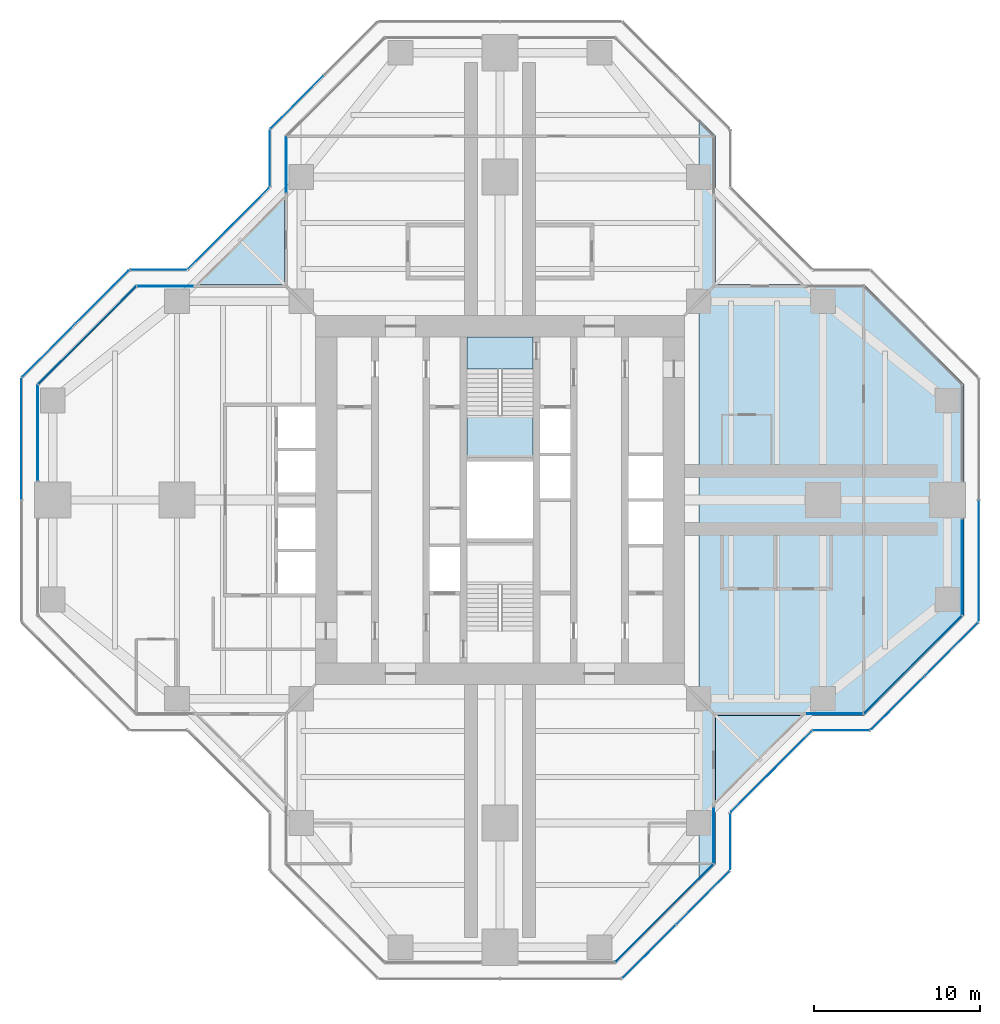
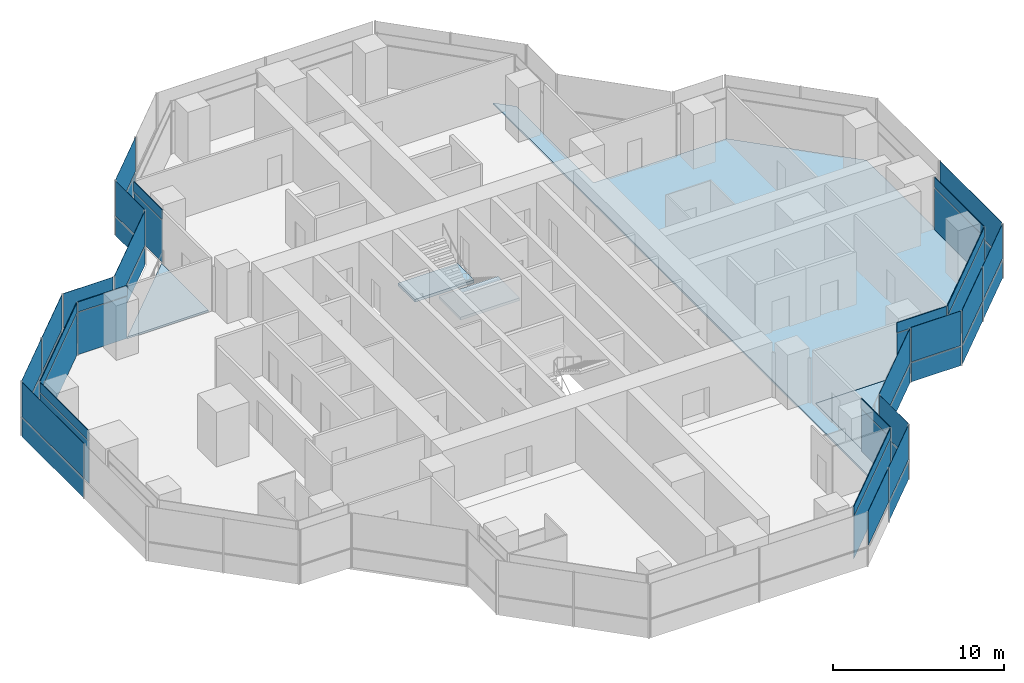
# One storey, part 11 of 17: 47 plates, 5 slabs, 22 elements without a shape of their own.
"""IFC4 building model written with IfcOpenShell, lengths in metres."""

from ifc_helpers import new_model, si_unit, direction, frame, origin, origin_2d, place, context, subcontext, project, spatial, polyline, rectangle, outline, extrude, material, layer, layer_set, type_object, element, aggregate, save


model = new_model("IFC4")

# Units and contexts
model_context = context("Model", 3, precision=1e-05, world=origin(), true_north=direction((0.0, 1.0)))
body_context = subcontext(model_context, "Body", "Model", "MODEL_VIEW")
ifc_project = project(units=[si_unit("LENGTHUNIT", "METRE"), si_unit("AREAUNIT", "SQUARE_METRE"), si_unit("VOLUMEUNIT", "CUBIC_METRE"), si_unit("PLANEANGLEUNIT", "RADIAN"), si_unit("MASSUNIT", "GRAM", prefix="KILO")], contexts=[model_context])

# Site, building, storey
site_placement = place(None, origin())
site = spatial("IfcSite", under=ifc_project, at=site_placement, CompositionType="ELEMENT")
building_placement = place(site_placement, origin())
building = spatial("IfcBuilding", under=site, at=building_placement, Name="Mizan Broadcast Tower", CompositionType="ELEMENT")
storey_placement = place(building_placement, frame((0.0, 0.0, 236.10009765625)))
storey = spatial("IfcBuildingStorey", under=building, at=storey_placement, Name="L55", CompositionType="ELEMENT", Elevation=236.10009765625)

# Slab
ifc_material_1 = material(Name="Concrete C32/40", Category="concrete")
ifc_layer_1 = layer(ifc_material_1, 0.1298828125)
ifc_layer_set_1 = layer_set([ifc_layer_1], Name="Concrete C32/40")
slab_type_1 = type_object("IfcSlabType", Name="COMPOSITE DECK SLAB 130", PredefinedType="FLOOR", material=ifc_layer_set_1)
slab_1_placement = place(storey_placement, frame((0.0, 0.0, -0.130126953125)))
element("IfcSlab", 1, at=slab_1_placement, inside=storey, type_object=slab_type_1, Name="Floor slab L55 east arm", PredefinedType="FLOOR", context=body_context, shape_type="SweptSolid", body=[
    extrude(outline(polyline([(13.0, 22.0), (12.0, 23.0), (12.0, -23.0), (13.0, -22.0), (13.0, -13.0), (22.0, -13.0), (28.0, -7.0), (28.0, 7.0), (22.0, 13.0), (13.0, 13.0), (13.0, 22.0)])), origin(), (0.0, 0.0, 1.0), 0.130126953125),
])

# Curtain wall, plate
ifc_material_2 = material(Name="Aluminium framed glazing", Category="aluminium")
curtain_wall_type_1 = type_object("IfcCurtainWallType", Name="INNER SKIN HIGH ZONE", PredefinedType="USERDEFINED", material=ifc_material_2)
curtain_wall_1_placement = place(storey_placement, origin())
curtain_wall_1 = element("IfcCurtainWall", 2, at=curtain_wall_1_placement, inside=storey, type_object=curtain_wall_type_1, Name="Inner skin high zone L55 E side", ObjectType="INNER SKIN HIGH ZONE", PredefinedType="USERDEFINED")
ifc_material_3 = material(Name="Double glazing, clear low-e", Category="glass")
ifc_layer_2 = layer(ifc_material_3, 0.028076171875)
ifc_layer_set_2 = layer_set([ifc_layer_2], Name="Double glazing, clear low-e")
plate_type_1 = type_object("IfcPlateType", Name="INNER SKIN GLAZING UNIT", PredefinedType="CURTAIN_PANEL", material=ifc_layer_set_2)
plate_1_placement = place(storey_placement, frame((20.229248046875, -12.89990234375, 0.0), z_axis=(0.0, 0.0, 1.0), x_axis=(1.0, 0.0, 0.0)))
plate_1 = element("IfcPlate", 3, at=plate_1_placement, type_object=plate_type_1, Name="Inner skin high zone L55 E side panel 1.1", PredefinedType="CURTAIN_PANEL", context=body_context, shape_type="SweptSolid", body=[
    extrude(rectangle(XDim=3.338623046875, YDim=0.028076171875, at=origin_2d()), origin(), (0.0, 0.0, 1.0), 3.0),
])

curtain_wall_2_placement = place(storey_placement, origin())
curtain_wall_2 = element("IfcCurtainWall", 4, at=curtain_wall_2_placement, inside=storey, type_object=curtain_wall_type_1, Name="Inner skin high zone L55 E chamfer", ObjectType="INNER SKIN HIGH ZONE", PredefinedType="USERDEFINED")
plate_2_placement = place(storey_placement, frame((24.92919921875, -9.92919921875, 0.0), z_axis=(0.0, 0.0, 1.0), x_axis=(0.707106781187, 0.707106781187, 0.0)))
plate_2 = element("IfcPlate", 5, at=plate_2_placement, type_object=plate_type_1, Name="Inner skin high zone L55 E chamfer panel 1.1", PredefinedType="CURTAIN_PANEL", context=body_context, shape_type="SweptSolid", body=[
    extrude(rectangle(XDim=8.282470703125, YDim=0.028076171875, at=origin_2d()), origin(), (0.0, 0.0, 1.0), 3.0),
])

curtain_wall_3_placement = place(storey_placement, origin())
curtain_wall_3 = element("IfcCurtainWall", 6, at=curtain_wall_3_placement, inside=storey, type_object=curtain_wall_type_1, Name="Inner skin high zone L55 E end", ObjectType="INNER SKIN HIGH ZONE", PredefinedType="USERDEFINED")
plate_3_placement = place(storey_placement, frame((27.89990234375, -4.029296875, 0.0), z_axis=(0.0, 0.0, 1.0), x_axis=(0.0, 1.0, 0.0)))
plate_3 = element("IfcPlate", 7, at=plate_3_placement, type_object=plate_type_1, Name="Inner skin high zone L55 E end panel 1.1", PredefinedType="CURTAIN_PANEL", context=body_context, shape_type="SweptSolid", body=[
    extrude(rectangle(XDim=5.738525390625, YDim=0.028076171875, at=origin_2d()), origin(), (0.0, 0.0, 1.0), 3.0),
])

curtain_wall_4_placement = place(storey_placement, origin())
curtain_wall_4 = element("IfcCurtainWall", 8, at=curtain_wall_4_placement, inside=storey, type_object=curtain_wall_type_1, Name="Inner skin high zone L55 N side", ObjectType="INNER SKIN HIGH ZONE", PredefinedType="USERDEFINED")
plate_4_placement = place(storey_placement, frame((-12.89990234375, 20.229248046875, 0.0), z_axis=(0.0, 0.0, 1.0), x_axis=(0.0, -1.0, 0.0)))
plate_4 = element("IfcPlate", 9, at=plate_4_placement, type_object=plate_type_1, Name="Inner skin high zone L55 N side panel 1.1", PredefinedType="CURTAIN_PANEL", context=body_context, shape_type="SweptSolid", body=[
    extrude(rectangle(XDim=3.338623046875, YDim=0.028076171875, at=origin_2d()), origin(), (0.0, 0.0, 1.0), 3.0),
])

curtain_wall_5_placement = place(storey_placement, origin())
curtain_wall_5 = element("IfcCurtainWall", 10, at=curtain_wall_5_placement, inside=storey, type_object=curtain_wall_type_1, Name="Inner skin high zone L55 W side", ObjectType="INNER SKIN HIGH ZONE", PredefinedType="USERDEFINED")
plate_5_placement = place(storey_placement, frame((-20.229248046875, 12.89990234375, 0.0), z_axis=(0.0, 0.0, 1.0), x_axis=(-1.0, 0.0, 0.0)))
plate_5 = element("IfcPlate", 11, at=plate_5_placement, type_object=plate_type_1, Name="Inner skin high zone L55 W side panel 1.1", PredefinedType="CURTAIN_PANEL", context=body_context, shape_type="SweptSolid", body=[
    extrude(rectangle(XDim=3.338623046875, YDim=0.028076171875, at=origin_2d()), origin(), (0.0, 0.0, 1.0), 3.0),
])

curtain_wall_6_placement = place(storey_placement, origin())
curtain_wall_6 = element("IfcCurtainWall", 12, at=curtain_wall_6_placement, inside=storey, type_object=curtain_wall_type_1, Name="Inner skin high zone L55 W chamfer", ObjectType="INNER SKIN HIGH ZONE", PredefinedType="USERDEFINED")
plate_6_placement = place(storey_placement, frame((-24.92919921875, 9.92919921875, 0.0), z_axis=(0.0, 0.0, 1.0), x_axis=(-0.707106781187, -0.707106781187, 0.0)))
plate_6 = element("IfcPlate", 13, at=plate_6_placement, type_object=plate_type_1, Name="Inner skin high zone L55 W chamfer panel 1.1", PredefinedType="CURTAIN_PANEL", context=body_context, shape_type="SweptSolid", body=[
    extrude(rectangle(XDim=8.282470703125, YDim=0.028076171875, at=origin_2d()), origin(), (0.0, 0.0, 1.0), 3.0),
])

curtain_wall_7_placement = place(storey_placement, origin())
curtain_wall_7 = element("IfcCurtainWall", 14, at=curtain_wall_7_placement, inside=storey, type_object=curtain_wall_type_1, Name="Inner skin high zone L55 W end", ObjectType="INNER SKIN HIGH ZONE", PredefinedType="USERDEFINED")
plate_7_placement = place(storey_placement, frame((-27.89990234375, 4.029296875, 0.0), z_axis=(0.0, 0.0, 1.0), x_axis=(0.0, -1.0, 0.0)))
plate_7 = element("IfcPlate", 15, at=plate_7_placement, type_object=plate_type_1, Name="Inner skin high zone L55 W end panel 1.1", PredefinedType="CURTAIN_PANEL", context=body_context, shape_type="SweptSolid", body=[
    extrude(rectangle(XDim=5.738525390625, YDim=0.028076171875, at=origin_2d()), origin(), (0.0, 0.0, 1.0), 3.0),
])

curtain_wall_8_placement = place(storey_placement, origin())
curtain_wall_8 = element("IfcCurtainWall", 16, at=curtain_wall_8_placement, inside=storey, type_object=curtain_wall_type_1, Name="Inner skin high zone L55 S chamfer", ObjectType="INNER SKIN HIGH ZONE", PredefinedType="USERDEFINED")
plate_8_placement = place(storey_placement, frame((9.92919921875, -24.92919921875, 0.0), z_axis=(0.0, 0.0, 1.0), x_axis=(0.707106781187, 0.707106781187, 0.0)))
plate_8 = element("IfcPlate", 17, at=plate_8_placement, type_object=plate_type_1, Name="Inner skin high zone L55 S chamfer panel 1.1", PredefinedType="CURTAIN_PANEL", context=body_context, shape_type="SweptSolid", body=[
    extrude(rectangle(XDim=8.282470703125, YDim=0.028076171875, at=origin_2d()), origin(), (0.0, 0.0, 1.0), 3.0),
])

curtain_wall_9_placement = place(storey_placement, origin())
curtain_wall_9 = element("IfcCurtainWall", 18, at=curtain_wall_9_placement, inside=storey, type_object=curtain_wall_type_1, Name="Inner skin high zone L55 S side", ObjectType="INNER SKIN HIGH ZONE", PredefinedType="USERDEFINED")
plate_9_placement = place(storey_placement, frame((12.89990234375, -20.229248046875, 0.0), z_axis=(0.0, 0.0, 1.0), x_axis=(0.0, 1.0, 0.0)))
plate_9 = element("IfcPlate", 19, at=plate_9_placement, type_object=plate_type_1, Name="Inner skin high zone L55 S side panel 1.1", PredefinedType="CURTAIN_PANEL", context=body_context, shape_type="SweptSolid", body=[
    extrude(rectangle(XDim=3.338623046875, YDim=0.028076171875, at=origin_2d()), origin(), (0.0, 0.0, 1.0), 3.0),
])

# Plate
ifc_material_4 = material(Name="Insulated aluminium spandrel panel, pale anodised", Category="aluminium")
ifc_layer_3 = layer(ifc_material_4, 0.050048828125)
ifc_layer_set_3 = layer_set([ifc_layer_3], Name="Insulated aluminium spandrel panel, pale anodised")
plate_type_2 = type_object("IfcPlateType", Name="INNER SKIN SPANDREL PANEL", PredefinedType="CURTAIN_PANEL", material=ifc_layer_set_3)
plate_10_placement = place(storey_placement, frame((20.229248046875, -12.89990234375, 3.059814453125), z_axis=(0.0, 0.0, 1.0), x_axis=(1.0, 0.0, 0.0)))
plate_10 = element("IfcPlate", 20, at=plate_10_placement, type_object=plate_type_2, Name="Inner skin high zone L55 E side panel 1.2", PredefinedType="CURTAIN_PANEL", context=body_context, shape_type="SweptSolid", body=[
    extrude(rectangle(XDim=3.338623046875, YDim=0.050048828125, at=origin_2d()), origin(), (0.0, 0.0, 1.0), 0.7099609375),
])

aggregate(curtain_wall_1, [plate_1, plate_10])

plate_11_placement = place(storey_placement, frame((24.92919921875, -9.92919921875, 3.059814453125), z_axis=(0.0, 0.0, 1.0), x_axis=(0.707106781187, 0.707106781187, 0.0)))
plate_11 = element("IfcPlate", 21, at=plate_11_placement, type_object=plate_type_2, Name="Inner skin high zone L55 E chamfer panel 1.2", PredefinedType="CURTAIN_PANEL", context=body_context, shape_type="SweptSolid", body=[
    extrude(rectangle(XDim=8.282470703125, YDim=0.050048828125, at=origin_2d()), origin(), (0.0, 0.0, 1.0), 0.7099609375),
])

aggregate(curtain_wall_2, [plate_2, plate_11])

plate_12_placement = place(storey_placement, frame((27.89990234375, -4.029296875, 3.059814453125), z_axis=(0.0, 0.0, 1.0), x_axis=(0.0, 1.0, 0.0)))
plate_12 = element("IfcPlate", 22, at=plate_12_placement, type_object=plate_type_2, Name="Inner skin high zone L55 E end panel 1.2", PredefinedType="CURTAIN_PANEL", context=body_context, shape_type="SweptSolid", body=[
    extrude(rectangle(XDim=5.738525390625, YDim=0.050048828125, at=origin_2d()), origin(), (0.0, 0.0, 1.0), 0.7099609375),
])

aggregate(curtain_wall_3, [plate_3, plate_12])

plate_13_placement = place(storey_placement, frame((-12.89990234375, 20.229248046875, 3.059814453125), z_axis=(0.0, 0.0, 1.0), x_axis=(0.0, -1.0, 0.0)))
plate_13 = element("IfcPlate", 23, at=plate_13_placement, type_object=plate_type_2, Name="Inner skin high zone L55 N side panel 1.2", PredefinedType="CURTAIN_PANEL", context=body_context, shape_type="SweptSolid", body=[
    extrude(rectangle(XDim=3.338623046875, YDim=0.050048828125, at=origin_2d()), origin(), (0.0, 0.0, 1.0), 0.7099609375),
])

aggregate(curtain_wall_4, [plate_4, plate_13])

plate_14_placement = place(storey_placement, frame((-20.229248046875, 12.89990234375, 3.059814453125), z_axis=(0.0, 0.0, 1.0), x_axis=(-1.0, 0.0, 0.0)))
plate_14 = element("IfcPlate", 24, at=plate_14_placement, type_object=plate_type_2, Name="Inner skin high zone L55 W side panel 1.2", PredefinedType="CURTAIN_PANEL", context=body_context, shape_type="SweptSolid", body=[
    extrude(rectangle(XDim=3.338623046875, YDim=0.050048828125, at=origin_2d()), origin(), (0.0, 0.0, 1.0), 0.7099609375),
])

aggregate(curtain_wall_5, [plate_5, plate_14])

plate_15_placement = place(storey_placement, frame((-24.92919921875, 9.92919921875, 3.059814453125), z_axis=(0.0, 0.0, 1.0), x_axis=(-0.707106781187, -0.707106781187, 0.0)))
plate_15 = element("IfcPlate", 25, at=plate_15_placement, type_object=plate_type_2, Name="Inner skin high zone L55 W chamfer panel 1.2", PredefinedType="CURTAIN_PANEL", context=body_context, shape_type="SweptSolid", body=[
    extrude(rectangle(XDim=8.282470703125, YDim=0.050048828125, at=origin_2d()), origin(), (0.0, 0.0, 1.0), 0.7099609375),
])

aggregate(curtain_wall_6, [plate_6, plate_15])

plate_16_placement = place(storey_placement, frame((-27.89990234375, 4.029296875, 3.059814453125), z_axis=(0.0, 0.0, 1.0), x_axis=(0.0, -1.0, 0.0)))
plate_16 = element("IfcPlate", 26, at=plate_16_placement, type_object=plate_type_2, Name="Inner skin high zone L55 W end panel 1.2", PredefinedType="CURTAIN_PANEL", context=body_context, shape_type="SweptSolid", body=[
    extrude(rectangle(XDim=5.738525390625, YDim=0.050048828125, at=origin_2d()), origin(), (0.0, 0.0, 1.0), 0.7099609375),
])

aggregate(curtain_wall_7, [plate_7, plate_16])

plate_17_placement = place(storey_placement, frame((9.92919921875, -24.92919921875, 3.059814453125), z_axis=(0.0, 0.0, 1.0), x_axis=(0.707106781187, 0.707106781187, 0.0)))
plate_17 = element("IfcPlate", 27, at=plate_17_placement, type_object=plate_type_2, Name="Inner skin high zone L55 S chamfer panel 1.2", PredefinedType="CURTAIN_PANEL", context=body_context, shape_type="SweptSolid", body=[
    extrude(rectangle(XDim=8.282470703125, YDim=0.050048828125, at=origin_2d()), origin(), (0.0, 0.0, 1.0), 0.7099609375),
])

aggregate(curtain_wall_8, [plate_8, plate_17])

plate_18_placement = place(storey_placement, frame((12.89990234375, -20.229248046875, 3.059814453125), z_axis=(0.0, 0.0, 1.0), x_axis=(0.0, 1.0, 0.0)))
plate_18 = element("IfcPlate", 28, at=plate_18_placement, type_object=plate_type_2, Name="Inner skin high zone L55 S side panel 1.2", PredefinedType="CURTAIN_PANEL", context=body_context, shape_type="SweptSolid", body=[
    extrude(rectangle(XDim=3.338623046875, YDim=0.050048828125, at=origin_2d()), origin(), (0.0, 0.0, 1.0), 0.7099609375),
])

aggregate(curtain_wall_9, [plate_9, plate_18])

# Curtain wall, plates
ifc_material_5 = material(Name="Aluminium framed glazing", Category="aluminium")
curtain_wall_type_2 = type_object("IfcCurtainWallType", Name="OUTER SKIN", PredefinedType="USERDEFINED", material=ifc_material_5)
curtain_wall_10_placement = place(storey_placement, origin())
curtain_wall_10 = element("IfcCurtainWall", 29, at=curtain_wall_10_placement, inside=storey, type_object=curtain_wall_type_2, Name="Outer skin L55 E chamfer", ObjectType="OUTER SKIN", PredefinedType="USERDEFINED")
ifc_material_6 = material(Name="Laminated clear glass", Category="glass")
ifc_layer_4 = layer(ifc_material_6, 0.02001953125)
ifc_layer_set_4 = layer_set([ifc_layer_4], Name="Laminated clear glass")
plate_type_3 = type_object("IfcPlateType", Name="OUTER SKIN CLEAR GLASS", PredefinedType="CURTAIN_PANEL", material=ifc_layer_set_4)
plate_19_placement = place(storey_placement, frame((24.018798828125, -12.254150390625, -0.000244140625), z_axis=(0.0, 0.0, 1.0), x_axis=(0.707106781187, 0.707106781187, 0.0)))
plate_19 = element("IfcPlate", 30, at=plate_19_placement, type_object=plate_type_3, Name="Outer skin L55 E chamfer panel 1.1", PredefinedType="CURTAIN_PANEL", context=body_context, shape_type="SweptSolid", body=[
    extrude(rectangle(XDim=4.495361328125, YDim=0.02001953125, at=origin_2d()), origin(), (0.0, 0.0, 1.0), 1.3701171875),
])
plate_20_placement = place(storey_placement, frame((24.018798828125, -12.254150390625, 1.4296875), z_axis=(0.0, 0.0, 1.0), x_axis=(0.707106781187, 0.707106781187, 0.0)))
plate_20 = element("IfcPlate", 31, at=plate_20_placement, type_object=plate_type_3, Name="Outer skin L55 E chamfer panel 1.2", PredefinedType="CURTAIN_PANEL", context=body_context, shape_type="SweptSolid", body=[
    extrude(rectangle(XDim=4.495361328125, YDim=0.02001953125, at=origin_2d()), origin(), (0.0, 0.0, 1.0), 2.469970703125),
])

curtain_wall_11_placement = place(storey_placement, origin())
curtain_wall_11 = element("IfcCurtainWall", 32, at=curtain_wall_11_placement, inside=storey, type_object=curtain_wall_type_2, Name="Outer skin L55 E end", ObjectType="OUTER SKIN", PredefinedType="USERDEFINED")
plate_21_placement = place(storey_placement, frame((28.89990234375, -3.66650390625, -0.000244140625), z_axis=(0.0, 0.0, 1.0), x_axis=(0.0, 1.0, 0.0)))
plate_21 = element("IfcPlate", 33, at=plate_21_placement, type_object=plate_type_3, Name="Outer skin L55 E end panel 1.1", PredefinedType="CURTAIN_PANEL", context=body_context, shape_type="SweptSolid", body=[
    extrude(rectangle(XDim=7.252685546875, YDim=0.02001953125, at=origin_2d()), origin(), (0.0, 0.0, 1.0), 1.3701171875),
])
plate_22_placement = place(storey_placement, frame((28.89990234375, -3.66650390625, 1.4296875), z_axis=(0.0, 0.0, 1.0), x_axis=(0.0, 1.0, 0.0)))
plate_22 = element("IfcPlate", 34, at=plate_22_placement, type_object=plate_type_3, Name="Outer skin L55 E end panel 1.2", PredefinedType="CURTAIN_PANEL", context=body_context, shape_type="SweptSolid", body=[
    extrude(rectangle(XDim=7.252685546875, YDim=0.02001953125, at=origin_2d()), origin(), (0.0, 0.0, 1.0), 2.469970703125),
])
aggregate(curtain_wall_11, [plate_21, plate_22])

curtain_wall_12_placement = place(storey_placement, origin())
curtain_wall_12 = element("IfcCurtainWall", 35, at=curtain_wall_12_placement, inside=storey, type_object=curtain_wall_type_2, Name="Outer skin L55 N side", ObjectType="OUTER SKIN", PredefinedType="USERDEFINED")
plate_23_placement = place(storey_placement, frame((-13.89990234375, 20.622802734375, -0.000244140625), z_axis=(0.0, 0.0, 1.0), x_axis=(0.0, -1.0, 0.0)))
plate_23 = element("IfcPlate", 36, at=plate_23_placement, type_object=plate_type_3, Name="Outer skin L55 N side panel 1.1", PredefinedType="CURTAIN_PANEL", context=body_context, shape_type="SweptSolid", body=[
    extrude(rectangle(XDim=3.340087890625, YDim=0.02001953125, at=origin_2d()), origin(), (0.0, 0.0, 1.0), 1.3701171875),
])
plate_24_placement = place(storey_placement, frame((-13.89990234375, 20.622802734375, 1.4296875), z_axis=(0.0, 0.0, 1.0), x_axis=(0.0, -1.0, 0.0)))
plate_24 = element("IfcPlate", 37, at=plate_24_placement, type_object=plate_type_3, Name="Outer skin L55 N side panel 1.2", PredefinedType="CURTAIN_PANEL", context=body_context, shape_type="SweptSolid", body=[
    extrude(rectangle(XDim=3.340087890625, YDim=0.02001953125, at=origin_2d()), origin(), (0.0, 0.0, 1.0), 2.469970703125),
])
aggregate(curtain_wall_12, [plate_23, plate_24])

curtain_wall_13_placement = place(storey_placement, origin())
curtain_wall_13 = element("IfcCurtainWall", 38, at=curtain_wall_13_placement, inside=storey, type_object=curtain_wall_type_2, Name="Outer skin L55 W chamfer", ObjectType="OUTER SKIN", PredefinedType="USERDEFINED")
plate_25_placement = place(storey_placement, frame((-16.386474609375, 16.386474609375, -0.000244140625), z_axis=(0.0, 0.0, 1.0), x_axis=(-0.707106781187, -0.707106781187, 0.0)))
plate_25 = element("IfcPlate", 39, at=plate_25_placement, type_object=plate_type_3, Name="Outer skin L55 W chamfer panel 1.1", PredefinedType="CURTAIN_PANEL", context=body_context, shape_type="SweptSolid", body=[
    extrude(rectangle(XDim=6.87255859375, YDim=0.02001953125, at=origin_2d()), origin(), (0.0, 0.0, 1.0), 1.3701171875),
])
plate_26_placement = place(storey_placement, frame((-16.386474609375, 16.386474609375, 1.4296875), z_axis=(0.0, 0.0, 1.0), x_axis=(-0.707106781187, -0.707106781187, 0.0)))
plate_26 = element("IfcPlate", 40, at=plate_26_placement, type_object=plate_type_3, Name="Outer skin L55 W chamfer panel 1.2", PredefinedType="CURTAIN_PANEL", context=body_context, shape_type="SweptSolid", body=[
    extrude(rectangle(XDim=6.87255859375, YDim=0.02001953125, at=origin_2d()), origin(), (0.0, 0.0, 1.0), 2.469970703125),
])
aggregate(curtain_wall_13, [plate_25, plate_26])

curtain_wall_14_placement = place(storey_placement, origin())
curtain_wall_14 = element("IfcCurtainWall", 41, at=curtain_wall_14_placement, inside=storey, type_object=curtain_wall_type_2, Name="Outer skin L55 W side", ObjectType="OUTER SKIN", PredefinedType="USERDEFINED")
plate_27_placement = place(storey_placement, frame((-20.622802734375, 13.89990234375, -0.000244140625), z_axis=(0.0, 0.0, 1.0), x_axis=(-1.0, 0.0, 0.0)))
plate_27 = element("IfcPlate", 42, at=plate_27_placement, type_object=plate_type_3, Name="Outer skin L55 W side panel 1.1", PredefinedType="CURTAIN_PANEL", context=body_context, shape_type="SweptSolid", body=[
    extrude(rectangle(XDim=3.340087890625, YDim=0.02001953125, at=origin_2d()), origin(), (0.0, 0.0, 1.0), 1.3701171875),
])
plate_28_placement = place(storey_placement, frame((-20.622802734375, 13.89990234375, 1.4296875), z_axis=(0.0, 0.0, 1.0), x_axis=(-1.0, 0.0, 0.0)))
plate_28 = element("IfcPlate", 43, at=plate_28_placement, type_object=plate_type_3, Name="Outer skin L55 W side panel 1.2", PredefinedType="CURTAIN_PANEL", context=body_context, shape_type="SweptSolid", body=[
    extrude(rectangle(XDim=3.340087890625, YDim=0.02001953125, at=origin_2d()), origin(), (0.0, 0.0, 1.0), 2.469970703125),
])
aggregate(curtain_wall_14, [plate_27, plate_28])

curtain_wall_15_placement = place(storey_placement, origin())
curtain_wall_15 = element("IfcCurtainWall", 44, at=curtain_wall_15_placement, inside=storey, type_object=curtain_wall_type_2, Name="Outer skin L55 W chamfer", ObjectType="OUTER SKIN", PredefinedType="USERDEFINED")
plate_29_placement = place(storey_placement, frame((-24.018798828125, 12.254150390625, -0.000244140625), z_axis=(0.0, 0.0, 1.0), x_axis=(-0.707106781187, -0.707106781187, 0.0)))
plate_29 = element("IfcPlate", 45, at=plate_29_placement, type_object=plate_type_3, Name="Outer skin L55 W chamfer panel 1.1", PredefinedType="CURTAIN_PANEL", context=body_context, shape_type="SweptSolid", body=[
    extrude(rectangle(XDim=4.495361328125, YDim=0.02001953125, at=origin_2d()), origin(), (0.0, 0.0, 1.0), 1.3701171875),
])
plate_30_placement = place(storey_placement, frame((-24.018798828125, 12.254150390625, 1.4296875), z_axis=(0.0, 0.0, 1.0), x_axis=(-0.707106781187, -0.707106781187, 0.0)))
plate_30 = element("IfcPlate", 46, at=plate_30_placement, type_object=plate_type_3, Name="Outer skin L55 W chamfer panel 1.2", PredefinedType="CURTAIN_PANEL", context=body_context, shape_type="SweptSolid", body=[
    extrude(rectangle(XDim=4.495361328125, YDim=0.02001953125, at=origin_2d()), origin(), (0.0, 0.0, 1.0), 2.469970703125),
])

curtain_wall_16_placement = place(storey_placement, origin())
curtain_wall_16 = element("IfcCurtainWall", 47, at=curtain_wall_16_placement, inside=storey, type_object=curtain_wall_type_2, Name="Outer skin L55 W end", ObjectType="OUTER SKIN", PredefinedType="USERDEFINED")
plate_31_placement = place(storey_placement, frame((-28.89990234375, 3.66650390625, -0.000244140625), z_axis=(0.0, 0.0, 1.0), x_axis=(0.0, -1.0, 0.0)))
plate_31 = element("IfcPlate", 48, at=plate_31_placement, type_object=plate_type_3, Name="Outer skin L55 W end panel 1.1", PredefinedType="CURTAIN_PANEL", context=body_context, shape_type="SweptSolid", body=[
    extrude(rectangle(XDim=7.252685546875, YDim=0.02001953125, at=origin_2d()), origin(), (0.0, 0.0, 1.0), 1.3701171875),
])
plate_32_placement = place(storey_placement, frame((-28.89990234375, 3.66650390625, 1.4296875), z_axis=(0.0, 0.0, 1.0), x_axis=(0.0, -1.0, 0.0)))
plate_32 = element("IfcPlate", 49, at=plate_32_placement, type_object=plate_type_3, Name="Outer skin L55 W end panel 1.2", PredefinedType="CURTAIN_PANEL", context=body_context, shape_type="SweptSolid", body=[
    extrude(rectangle(XDim=7.252685546875, YDim=0.02001953125, at=origin_2d()), origin(), (0.0, 0.0, 1.0), 2.469970703125),
])
aggregate(curtain_wall_16, [plate_31, plate_32])

# Curtain wall, plate
curtain_wall_17_placement = place(storey_placement, origin())
curtain_wall_17 = element("IfcCurtainWall", 50, at=curtain_wall_17_placement, inside=storey, type_object=curtain_wall_type_2, Name="Outer skin L55 S chamfer", ObjectType="OUTER SKIN", PredefinedType="USERDEFINED")
plate_33_placement = place(storey_placement, frame((9.018798828125, -27.254150390625, 1.4296875), z_axis=(0.0, 0.0, 1.0), x_axis=(0.707106781187, 0.707106781187, 0.0)))
plate_33 = element("IfcPlate", 51, at=plate_33_placement, type_object=plate_type_3, Name="Outer skin L55 S chamfer panel 1.2", PredefinedType="CURTAIN_PANEL", context=body_context, shape_type="SweptSolid", body=[
    extrude(rectangle(XDim=4.495361328125, YDim=0.02001953125, at=origin_2d()), origin(), (0.0, 0.0, 1.0), 2.469970703125),
])

# Curtain wall, plates
curtain_wall_18_placement = place(storey_placement, origin())
curtain_wall_18 = element("IfcCurtainWall", 52, at=curtain_wall_18_placement, inside=storey, type_object=curtain_wall_type_2, Name="Outer skin L55 S side", ObjectType="OUTER SKIN", PredefinedType="USERDEFINED")
plate_34_placement = place(storey_placement, frame((13.89990234375, -20.622802734375, -0.000244140625), z_axis=(0.0, 0.0, 1.0), x_axis=(0.0, 1.0, 0.0)))
plate_34 = element("IfcPlate", 53, at=plate_34_placement, type_object=plate_type_3, Name="Outer skin L55 S side panel 1.1", PredefinedType="CURTAIN_PANEL", context=body_context, shape_type="SweptSolid", body=[
    extrude(rectangle(XDim=3.340087890625, YDim=0.02001953125, at=origin_2d()), origin(), (0.0, 0.0, 1.0), 1.3701171875),
])
plate_35_placement = place(storey_placement, frame((13.89990234375, -20.622802734375, 1.4296875), z_axis=(0.0, 0.0, 1.0), x_axis=(0.0, 1.0, 0.0)))
plate_35 = element("IfcPlate", 54, at=plate_35_placement, type_object=plate_type_3, Name="Outer skin L55 S side panel 1.2", PredefinedType="CURTAIN_PANEL", context=body_context, shape_type="SweptSolid", body=[
    extrude(rectangle(XDim=3.340087890625, YDim=0.02001953125, at=origin_2d()), origin(), (0.0, 0.0, 1.0), 2.469970703125),
])
aggregate(curtain_wall_18, [plate_34, plate_35])

curtain_wall_19_placement = place(storey_placement, origin())
curtain_wall_19 = element("IfcCurtainWall", 55, at=curtain_wall_19_placement, inside=storey, type_object=curtain_wall_type_2, Name="Outer skin L55 E chamfer", ObjectType="OUTER SKIN", PredefinedType="USERDEFINED")
plate_36_placement = place(storey_placement, frame((16.386474609375, -16.386474609375, -0.000244140625), z_axis=(0.0, 0.0, 1.0), x_axis=(0.707106781187, 0.707106781187, 0.0)))
plate_36 = element("IfcPlate", 56, at=plate_36_placement, type_object=plate_type_3, Name="Outer skin L55 E chamfer panel 1.1", PredefinedType="CURTAIN_PANEL", context=body_context, shape_type="SweptSolid", body=[
    extrude(rectangle(XDim=6.87255859375, YDim=0.02001953125, at=origin_2d()), origin(), (0.0, 0.0, 1.0), 1.3701171875),
])
plate_37_placement = place(storey_placement, frame((16.386474609375, -16.386474609375, 1.4296875), z_axis=(0.0, 0.0, 1.0), x_axis=(0.707106781187, 0.707106781187, 0.0)))
plate_37 = element("IfcPlate", 57, at=plate_37_placement, type_object=plate_type_3, Name="Outer skin L55 E chamfer panel 1.2", PredefinedType="CURTAIN_PANEL", context=body_context, shape_type="SweptSolid", body=[
    extrude(rectangle(XDim=6.87255859375, YDim=0.02001953125, at=origin_2d()), origin(), (0.0, 0.0, 1.0), 2.469970703125),
])
aggregate(curtain_wall_19, [plate_36, plate_37])

curtain_wall_20_placement = place(storey_placement, origin())
curtain_wall_20 = element("IfcCurtainWall", 58, at=curtain_wall_20_placement, inside=storey, type_object=curtain_wall_type_2, Name="Outer skin L55 E side", ObjectType="OUTER SKIN", PredefinedType="USERDEFINED")
plate_38_placement = place(storey_placement, frame((20.622802734375, -13.89990234375, -0.000244140625), z_axis=(0.0, 0.0, 1.0), x_axis=(1.0, 0.0, 0.0)))
plate_38 = element("IfcPlate", 59, at=plate_38_placement, type_object=plate_type_3, Name="Outer skin L55 E side panel 1.1", PredefinedType="CURTAIN_PANEL", context=body_context, shape_type="SweptSolid", body=[
    extrude(rectangle(XDim=3.340087890625, YDim=0.02001953125, at=origin_2d()), origin(), (0.0, 0.0, 1.0), 1.3701171875),
])
plate_39_placement = place(storey_placement, frame((20.622802734375, -13.89990234375, 1.4296875), z_axis=(0.0, 0.0, 1.0), x_axis=(1.0, 0.0, 0.0)))
plate_39 = element("IfcPlate", 60, at=plate_39_placement, type_object=plate_type_3, Name="Outer skin L55 E side panel 1.2", PredefinedType="CURTAIN_PANEL", context=body_context, shape_type="SweptSolid", body=[
    extrude(rectangle(XDim=3.340087890625, YDim=0.02001953125, at=origin_2d()), origin(), (0.0, 0.0, 1.0), 2.469970703125),
])
aggregate(curtain_wall_20, [plate_38, plate_39])

# Plate
ifc_material_7 = material(Name="Perforated aluminium, pale anodised", Category="aluminium")
ifc_layer_5 = layer(ifc_material_7, 0.011962890625)
ifc_layer_set_5 = layer_set([ifc_layer_5], Name="Perforated aluminium, pale anodised")
plate_type_4 = type_object("IfcPlateType", Name="OUTER SKIN PERFORATED SCREEN", PredefinedType="USERDEFINED", material=ifc_layer_set_5)
plate_40_placement = place(storey_placement, frame((27.254150390625, -9.018798828125, -0.000244140625), z_axis=(0.0, 0.0, 1.0), x_axis=(0.707106781187, 0.707106781187, 0.0)))
plate_40 = element("IfcPlate", 61, at=plate_40_placement, type_object=plate_type_4, Name="Outer skin L55 E chamfer panel 2.1", ObjectType="SCREEN", PredefinedType="USERDEFINED", context=body_context, shape_type="SweptSolid", body=[
    extrude(rectangle(XDim=4.495361328125, YDim=0.011962890625, at=origin_2d()), origin(), (0.0, 0.0, 1.0), 1.3701171875),
])

plate_41_placement = place(storey_placement, frame((27.254150390625, -9.018798828125, 1.4296875), z_axis=(0.0, 0.0, 1.0), x_axis=(0.707106781187, 0.707106781187, 0.0)))
plate_41 = element("IfcPlate", 62, at=plate_41_placement, type_object=plate_type_4, Name="Outer skin L55 E chamfer panel 2.2", ObjectType="SCREEN", PredefinedType="USERDEFINED", context=body_context, shape_type="SweptSolid", body=[
    extrude(rectangle(XDim=4.495361328125, YDim=0.011962890625, at=origin_2d()), origin(), (0.0, 0.0, 1.0), 2.469970703125),
])

aggregate(curtain_wall_10, [plate_19, plate_20, plate_40, plate_41])

# Curtain wall, plates
curtain_wall_21_placement = place(storey_placement, origin())
curtain_wall_21 = element("IfcCurtainWall", 63, at=curtain_wall_21_placement, inside=storey, type_object=curtain_wall_type_2, Name="Outer skin L55 N chamfer", ObjectType="OUTER SKIN", PredefinedType="USERDEFINED")
plate_42_placement = place(storey_placement, frame((-12.254150390625, 24.018798828125, -0.000244140625), z_axis=(0.0, 0.0, 1.0), x_axis=(-0.707106781187, -0.707106781187, 0.0)))
plate_42 = element("IfcPlate", 64, at=plate_42_placement, type_object=plate_type_4, Name="Outer skin L55 N chamfer panel 2.1", ObjectType="SCREEN", PredefinedType="USERDEFINED", context=body_context, shape_type="SweptSolid", body=[
    extrude(rectangle(XDim=4.495361328125, YDim=0.011962890625, at=origin_2d()), origin(), (0.0, 0.0, 1.0), 1.3701171875),
])
plate_43_placement = place(storey_placement, frame((-12.254150390625, 24.018798828125, 1.4296875), z_axis=(0.0, 0.0, 1.0), x_axis=(-0.707106781187, -0.707106781187, 0.0)))
plate_43 = element("IfcPlate", 65, at=plate_43_placement, type_object=plate_type_4, Name="Outer skin L55 N chamfer panel 2.2", ObjectType="SCREEN", PredefinedType="USERDEFINED", context=body_context, shape_type="SweptSolid", body=[
    extrude(rectangle(XDim=4.495361328125, YDim=0.011962890625, at=origin_2d()), origin(), (0.0, 0.0, 1.0), 2.469970703125),
])
aggregate(curtain_wall_21, [plate_42, plate_43])

# Plate
plate_44_placement = place(storey_placement, frame((-27.254150390625, 9.018798828125, -0.000244140625), z_axis=(0.0, 0.0, 1.0), x_axis=(-0.707106781187, -0.707106781187, 0.0)))
plate_44 = element("IfcPlate", 66, at=plate_44_placement, type_object=plate_type_4, Name="Outer skin L55 W chamfer panel 2.1", ObjectType="SCREEN", PredefinedType="USERDEFINED", context=body_context, shape_type="SweptSolid", body=[
    extrude(rectangle(XDim=4.495361328125, YDim=0.011962890625, at=origin_2d()), origin(), (0.0, 0.0, 1.0), 1.3701171875),
])

plate_45_placement = place(storey_placement, frame((-27.254150390625, 9.018798828125, 1.4296875), z_axis=(0.0, 0.0, 1.0), x_axis=(-0.707106781187, -0.707106781187, 0.0)))
plate_45 = element("IfcPlate", 67, at=plate_45_placement, type_object=plate_type_4, Name="Outer skin L55 W chamfer panel 2.2", ObjectType="SCREEN", PredefinedType="USERDEFINED", context=body_context, shape_type="SweptSolid", body=[
    extrude(rectangle(XDim=4.495361328125, YDim=0.011962890625, at=origin_2d()), origin(), (0.0, 0.0, 1.0), 2.469970703125),
])

aggregate(curtain_wall_15, [plate_29, plate_30, plate_44, plate_45])

plate_46_placement = place(storey_placement, frame((12.254150390625, -24.018798828125, -0.000244140625), z_axis=(0.0, 0.0, 1.0), x_axis=(0.707106781187, 0.707106781187, 0.0)))
plate_46 = element("IfcPlate", 68, at=plate_46_placement, type_object=plate_type_4, Name="Outer skin L55 S chamfer panel 2.1", ObjectType="SCREEN", PredefinedType="USERDEFINED", context=body_context, shape_type="SweptSolid", body=[
    extrude(rectangle(XDim=4.495361328125, YDim=0.011962890625, at=origin_2d()), origin(), (0.0, 0.0, 1.0), 1.3701171875),
])

plate_47_placement = place(storey_placement, frame((12.254150390625, -24.018798828125, 1.4296875), z_axis=(0.0, 0.0, 1.0), x_axis=(0.707106781187, 0.707106781187, 0.0)))
plate_47 = element("IfcPlate", 69, at=plate_47_placement, type_object=plate_type_4, Name="Outer skin L55 S chamfer panel 2.2", ObjectType="SCREEN", PredefinedType="USERDEFINED", context=body_context, shape_type="SweptSolid", body=[
    extrude(rectangle(XDim=4.495361328125, YDim=0.011962890625, at=origin_2d()), origin(), (0.0, 0.0, 1.0), 2.469970703125),
])

aggregate(curtain_wall_17, [plate_33, plate_46, plate_47])

# Stair, slabs
ifc_material_8 = material(Name="Concrete C40/50", Category="concrete")
stair_type = type_object("IfcStairType", Name="EXIT STAIR", PredefinedType="HALF_TURN_STAIR", material=ifc_material_8)
stair_placement = place(storey_placement, origin())
stair = element("IfcStair", 70, at=stair_placement, inside=storey, type_object=stair_type, Name="Stair B L55", PredefinedType="HALF_TURN_STAIR")
ifc_material_9 = material(Name="Concrete C40/50", Category="concrete")
ifc_layer_6 = layer(ifc_material_9, 0.199951171875)
ifc_layer_set_6 = layer_set([ifc_layer_6], Name="Concrete C40/50")
slab_type_2 = type_object("IfcSlabType", Name="STAIR LANDING 200", PredefinedType="LANDING", material=ifc_layer_set_6)
slab_2_placement = place(storey_placement, frame((0.0, 0.0, -0.2001953125)))
slab_2 = element("IfcSlab", 71, at=slab_2_placement, type_object=slab_type_2, Name="B landing 1", PredefinedType="LANDING", context=body_context, shape_type="SweptSolid", body=[
    extrude(outline(polyline([(2.0, 9.85009765625), (2.0, 7.89990234375), (-2.0, 7.89990234375), (-2.0, 9.85009765625), (2.0, 9.85009765625)])), origin(), (0.0, 0.0, 1.0), 0.2001953125),
])
slab_3_placement = place(storey_placement, frame((0.0, 0.0, 1.75)))
slab_3 = element("IfcSlab", 72, at=slab_3_placement, type_object=slab_type_2, Name="B landing 2", PredefinedType="LANDING", context=body_context, shape_type="SweptSolid", body=[
    extrude(outline(polyline([(2.0, 5.10009765625), (2.0, 2.574951171875), (-2.0, 2.574951171875), (-2.0, 5.10009765625), (2.0, 5.10009765625)])), origin(), (0.0, 0.0, 1.0), 0.199951171875),
])
aggregate(stair, [slab_2, slab_3])

# Slabs
ifc_material_10 = material(Name="Concrete C32/40", Category="concrete")
ifc_layer_7 = layer(ifc_material_10, 0.1298828125)
ifc_layer_set_7 = layer_set([ifc_layer_7], Name="Concrete C32/40")
slab_type_3 = type_object("IfcSlabType", Name="WINTER GARDEN SLAB 130", PredefinedType="FLOOR", material=ifc_layer_set_7)
slab_4_placement = place(storey_placement, frame((0.0, 0.0, -0.130126953125)))
element("IfcSlab", 73, at=slab_4_placement, inside=storey, type_object=slab_type_3, Name="Winter garden slab L55 N", PredefinedType="FLOOR", context=body_context, shape_type="SweptSolid", body=[
    extrude(outline(polyline([(-13.0, 13.0), (-13.0, 18.5), (-18.5, 13.0), (-13.0, 13.0)])), origin(), (0.0, 0.0, 1.0), 0.130126953125),
])
slab_5_placement = place(storey_placement, frame((0.0, 0.0, -0.130126953125)))
element("IfcSlab", 74, at=slab_5_placement, inside=storey, type_object=slab_type_3, Name="Winter garden slab L55 S", PredefinedType="FLOOR", context=body_context, shape_type="SweptSolid", body=[
    extrude(outline(polyline([(13.0, -13.0), (13.0, -18.5), (18.5, -13.0), (13.0, -13.0)])), origin(), (0.0, 0.0, 1.0), 0.130126953125),
])

save(model, "model.ifc")
